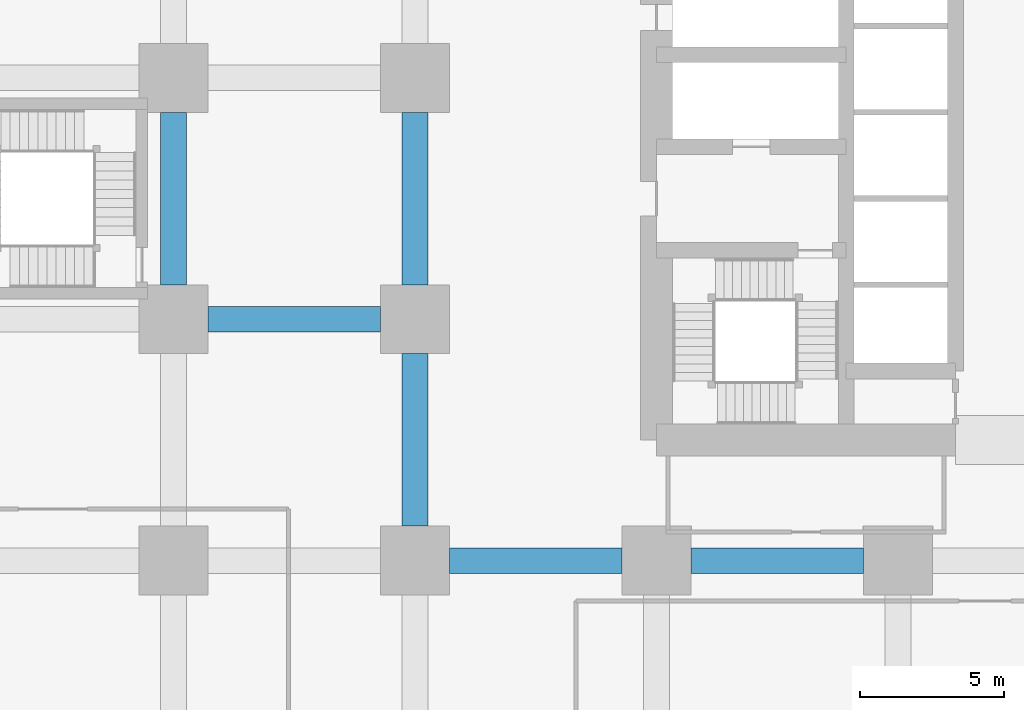
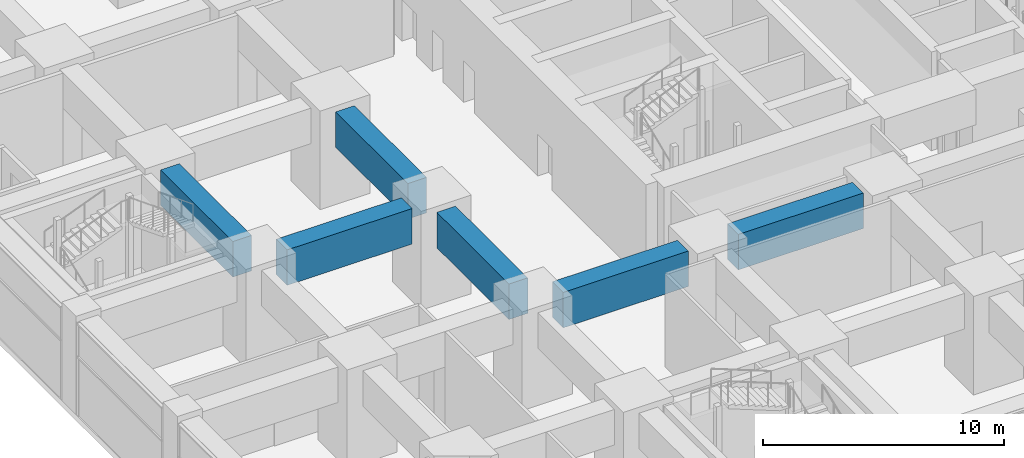
# One storey, part 12 of 48: 6 beams.
"""IFC4 building model written with IfcOpenShell, lengths in metres."""

from ifc_helpers import new_model, si_unit, direction, frame, origin, origin_2d, place, context, subcontext, project, spatial, rectangle, extrude, material, material_profile, profile_set, type_object, element, save


model = new_model("IFC4")

# Units and contexts
model_context = context("Model", 3, precision=1e-05, world=origin(), true_north=direction((0.0, 1.0)))
body_context = subcontext(model_context, "Body", "Model", "MODEL_VIEW")
ifc_project = project(units=[si_unit("LENGTHUNIT", "METRE"), si_unit("AREAUNIT", "SQUARE_METRE"), si_unit("VOLUMEUNIT", "CUBIC_METRE"), si_unit("PLANEANGLEUNIT", "RADIAN"), si_unit("MASSUNIT", "GRAM", prefix="KILO")], contexts=[model_context])

# Site, building, storey
site_placement = place(None, origin())
site = spatial("IfcSite", under=ifc_project, at=site_placement, CompositionType="ELEMENT")
building_placement = place(site_placement, origin())
building = spatial("IfcBuilding", under=site, at=building_placement, Name="Rekha Terrace Tower", CompositionType="ELEMENT")
storey_placement = place(building_placement, frame((0.0, 0.0, 15.39990234375)))
storey = spatial("IfcBuildingStorey", under=building, at=storey_placement, Name="L03", CompositionType="ELEMENT", Elevation=15.39990234375)

# Beams
ifc_material = material(Name="Concrete M60", Category="concrete")
ifc_material_profile = material_profile(ifc_material, rectangle(XDim=0.89990234375, YDim=1.800048828125, at=origin_2d()), Name="RC 900x1800")
ifc_profile_set = profile_set([ifc_material_profile], Name="Concrete M60")
beam_type = type_object("IfcBeamType", Name="G1 900x1800 podium floor beam", PredefinedType="BEAM", material=ifc_profile_set)
for number, where, z_axis, x_axis, name in (
    (1, (9.60009765625, 25.199951171875, 3.800048828125), (1.0, 0.0, 0.0), (0.0, 1.0, 0.0), "Beam G1 2D-3D under L04"),
    (2, (8.39990234375, 26.39990234375, 3.800048828125), (0.0, 1.0, 0.0), (-1.0, 0.0, 0.0), "Beam G1 2D-2E under L04"),
    (3, (18.0, 16.800048828125, 3.800048828125), (1.0, 0.0, 0.0), (0.0, 1.0, 0.0), "Beam G1 3C-4C under L04"),
    (4, (16.800048828125, 18.0, 3.800048828125), (0.0, 1.0, 0.0), (-1.0, 0.0, 0.0), "Beam G1 3C-3D under L04"),
    (5, (16.800048828125, 26.39990234375, 3.800048828125), (0.0, 1.0, 0.0), (-1.0, 0.0, 0.0), "Beam G1 3D-3E under L04"),
    (6, (26.39990234375, 16.800048828125, 3.800048828125), (1.0, 0.0, 0.0), (0.0, 1.0, 0.0), "Beam G1 4C-5C under L04"),
):
    element("IfcBeam", number, at=place(storey_placement, frame(where, z_axis=z_axis, x_axis=x_axis)), inside=storey, type_object=beam_type, Name=name, PredefinedType="BEAM", context=body_context, shape_type="SweptSolid", body=[
        extrude(rectangle(XDim=0.89990234375, YDim=1.800048828125, at=origin_2d()), origin(), (0.0, 0.0, 1.0), 6.0),
    ])

save(model, "model.ifc")
